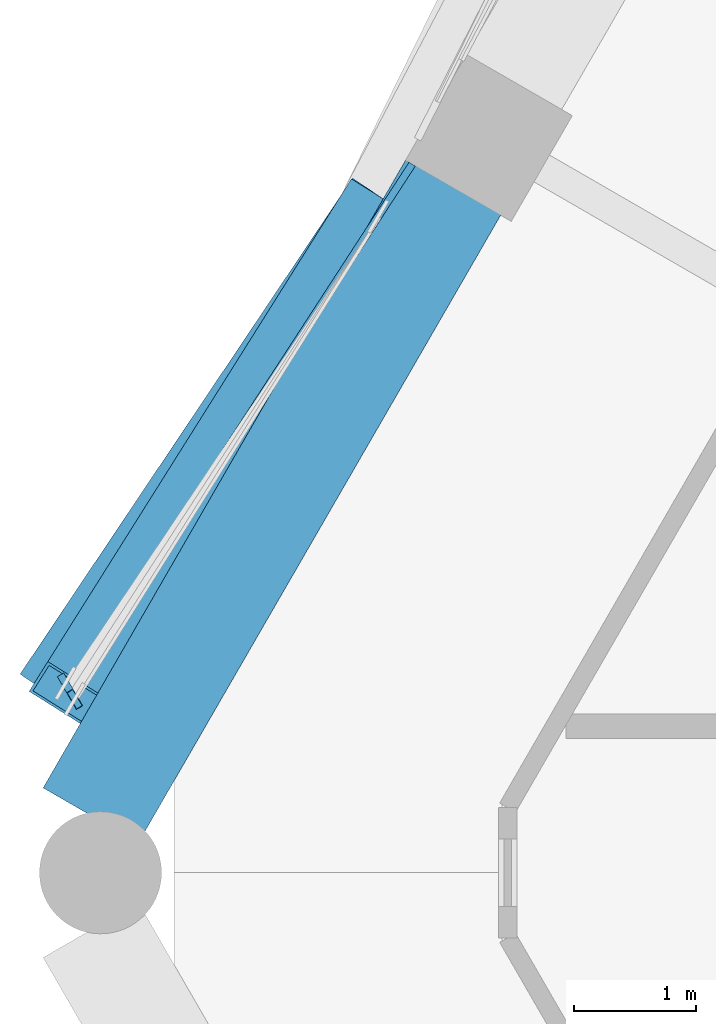
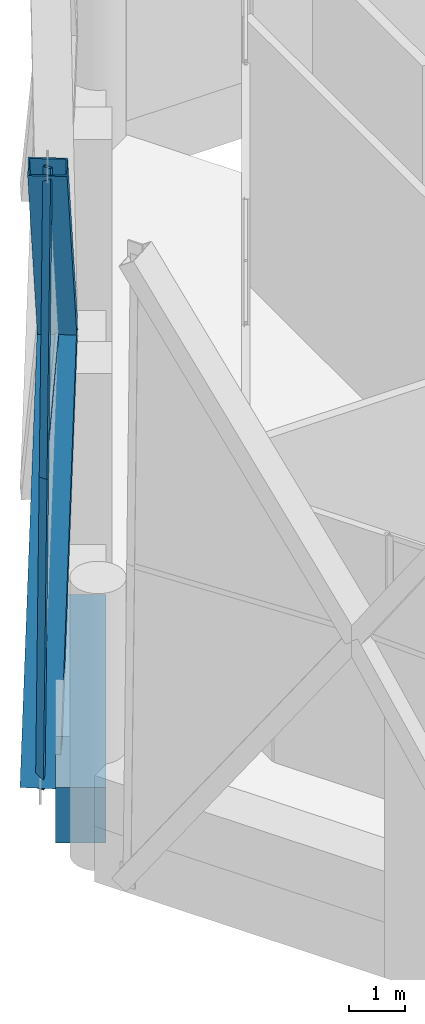
# One storey, part 14 of 43: 5 members, 1 beam, 2 elements without a shape of their own.
"""IFC4 building model written with IfcOpenShell, lengths in metres."""

from ifc_helpers import new_model, si_unit, direction, frame, origin, origin_2d, place, context, subcontext, project, spatial, rectangle, hollow_rectangle, extrude, material, material_profile, profile_set, type_object, element, aggregate, save


model = new_model("IFC4")

# Units and contexts
model_context = context("Model", 3, precision=1e-05, world=origin(), true_north=direction((0.0, 1.0)))
body_context = subcontext(model_context, "Body", "Model", "MODEL_VIEW")
ifc_project = project(units=[si_unit("LENGTHUNIT", "METRE"), si_unit("AREAUNIT", "SQUARE_METRE"), si_unit("VOLUMEUNIT", "CUBIC_METRE"), si_unit("PLANEANGLEUNIT", "RADIAN"), si_unit("MASSUNIT", "GRAM", prefix="KILO")], contexts=[model_context])

# Site, building, storey
site_placement = place(None, origin())
site = spatial("IfcSite", under=ifc_project, at=site_placement, CompositionType="ELEMENT")
building_placement = place(site_placement, origin())
building = spatial("IfcBuilding", under=site, at=building_placement, Name="Ostrander Bayou Hotel Tower", CompositionType="ELEMENT")
storey_placement = place(building_placement, frame((0.0, 0.0, 151.0)))
storey = spatial("IfcBuildingStorey", under=building, at=storey_placement, Name="L37", CompositionType="ELEMENT", Elevation=151.0)

# Curtain wall, members
ifc_material_1 = material(Name="Aluminium and clear glass", Category="aluminium")
curtain_wall_type = type_object("IfcCurtainWallType", Name="CW-LAT lattice glazing", PredefinedType="NOTDEFINED", material=ifc_material_1)
curtain_wall_1_placement = place(storey_placement, origin())
curtain_wall_1 = element("IfcCurtainWall", 1, at=curtain_wall_1_placement, inside=storey, type_object=curtain_wall_type, Name="CW-LAT L37 NW 1", PredefinedType="NOTDEFINED")
ifc_material_2 = material(Name="Aluminium", Category="aluminium")
ifc_material_profile_1 = material_profile(ifc_material_2, hollow_rectangle(XDim=0.06005859375, YDim=0.159912109375, WallThickness=0.00390625, at=origin_2d()))
ifc_profile_set_1 = profile_set([ifc_material_profile_1], Name="Aluminium")
member_type_1 = type_object("IfcMemberType", Name="CW-LA mullion 60 x 160 mm", PredefinedType="MULLION", material=ifc_profile_set_1)
member_1_placement = place(storey_placement, frame((-21.12451171875, 1.551513671875, -0.60009765625), z_axis=(0.005605840685, -0.009692679377, 0.999937311293), x_axis=(0.86564734414, 0.500654247544, 0.0)))
member_1 = element("IfcMember", 2, at=member_1_placement, type_object=member_type_1, Name="CW-LAT mullion 8", PredefinedType="MULLION", context=body_context, shape_type="SweptSolid", body=[
    extrude(hollow_rectangle(XDim=0.06005859375, YDim=0.159912109375, WallThickness=0.00390625, at=origin_2d()), origin(), (0.0, 0.0, 1.0), 6.75048828125),
])
member_2_placement = place(storey_placement, frame((-21.086669921875, 1.486083984375, 6.14990234375), z_axis=(0.005605840685, -0.009692679377, 0.999937311293), x_axis=(0.86564734414, 0.500654247544, 0.0)))
member_2 = element("IfcMember", 3, at=member_2_placement, type_object=member_type_1, Name="CW-LAT mullion 9", PredefinedType="MULLION", context=body_context, shape_type="SweptSolid", body=[
    extrude(hollow_rectangle(XDim=0.06005859375, YDim=0.159912109375, WallThickness=0.00390625, at=origin_2d()), origin(), (0.0, 0.0, 1.0), 6.75048828125),
])
aggregate(curtain_wall_1, [member_1, member_2])

# Curtain wall, member
curtain_wall_2_placement = place(storey_placement, origin())
curtain_wall_2 = element("IfcCurtainWall", 4, at=curtain_wall_2_placement, inside=storey, type_object=curtain_wall_type, Name="CW-LAT L37 NW 2", PredefinedType="NOTDEFINED")
ifc_material_3 = material(Name="Aluminium", Category="aluminium")
ifc_material_profile_2 = material_profile(ifc_material_3, hollow_rectangle(XDim=0.06005859375, YDim=0.1201171875, WallThickness=0.00390625, at=origin_2d()))
ifc_profile_set_2 = profile_set([ifc_material_profile_2], Name="Aluminium")
member_type_2 = type_object("IfcMemberType", Name="CW-LA transom 60 x 120 mm", PredefinedType="USERDEFINED", material=ifc_profile_set_2)
member_3_placement = place(storey_placement, frame((-21.086669921875, 1.486083984375, 6.14990234375), z_axis=(0.544464566324, 0.838783843441, 0.0), x_axis=(-0.838783843441, 0.544464566324, 0.0)))
member_3 = element("IfcMember", 5, at=member_3_placement, type_object=member_type_2, Name="CW-LAT transom 10", ObjectType="TRANSOM", PredefinedType="USERDEFINED", context=body_context, shape_type="SweptSolid", body=[
    extrude(hollow_rectangle(XDim=0.06005859375, YDim=0.1201171875, WallThickness=0.00390625, at=origin_2d()), origin(), (0.0, 0.0, 1.0), 5.1455078125),
])
aggregate(curtain_wall_2, [member_3])

# Members
ifc_material_4 = material(Name="Steel ASTM A572 Gr 50", Category="steel")
ifc_material_profile_3 = material_profile(ifc_material_4, hollow_rectangle(XDim=0.699951171875, YDim=0.35009765625, WallThickness=0.02490234375, at=origin_2d()))
ifc_profile_set_3 = profile_set([ifc_material_profile_3], Name="Steel ASTM A572 Gr 50")
member_type_3 = type_object("IfcMemberType", Name="LT1 lattice member box 700 x 350 x 25 mm", PredefinedType="BRACE", material=ifc_profile_set_3)
member_4_placement = place(storey_placement, frame((-18.563232421875, 5.373291015625, 6.14990234375), z_axis=(-0.31354568093, -0.467852834741, -0.826318843422), x_axis=(0.83070077176, -0.556719164209, 0.0)))
element("IfcMember", 6, at=member_4_placement, inside=storey, type_object=member_type_3, Name="LT1 L37 NW 7", PredefinedType="BRACE", context=body_context, shape_type="SweptSolid", body=[
    extrude(hollow_rectangle(XDim=0.699951171875, YDim=0.35009765625, WallThickness=0.02490234375, at=origin_2d()), origin(), (0.0, 0.0, 1.0), 8.168701171875),
])
member_5_placement = place(storey_placement, frame((-18.563232421875, 5.373291015625, 6.14990234375), z_axis=(-0.302842262194, -0.481584935165, 0.822412618125), x_axis=(0.846532203003, -0.532337514439, 0.0)))
element("IfcMember", 7, at=member_5_placement, inside=storey, type_object=member_type_3, Name="LT1 L37 NW 8", PredefinedType="BRACE", context=body_context, shape_type="SweptSolid", body=[
    extrude(hollow_rectangle(XDim=0.699951171875, YDim=0.35009765625, WallThickness=0.02490234375, at=origin_2d()), origin(), (0.0, 0.0, 1.0), 8.20751953125),
])

# Beam
ifc_material_5 = material(Name="Concrete f'c 60 MPa", Category="concrete")
ifc_material_profile_4 = material_profile(ifc_material_5, rectangle(XDim=0.89990234375, YDim=1.199951171875, at=origin_2d()))
ifc_profile_set_4 = profile_set([ifc_material_profile_4], Name="Concrete f'c 60 MPa")
beam_type = type_object("IfcBeamType", Name="SP3 spandrel beam 900 x 1200 mm f'c 60 MPa", PredefinedType="SPANDREL", material=ifc_profile_set_4)
beam_placement = place(storey_placement, frame((-17.935546875, 5.634521484375, -0.60009765625), z_axis=(-0.500004760619, -0.866022655223, 0.0), x_axis=(0.866022655223, -0.500004760619, 0.0)))
element("IfcBeam", 8, at=beam_placement, inside=storey, type_object=beam_type, Name="SP3 L37 NW-3", PredefinedType="SPANDREL", context=body_context, shape_type="SweptSolid", body=[
    extrude(rectangle(XDim=0.89990234375, YDim=1.199951171875, at=origin_2d()), origin(), (0.0, 0.0, 1.0), 5.9638671875),
])

save(model, "model.ifc")
